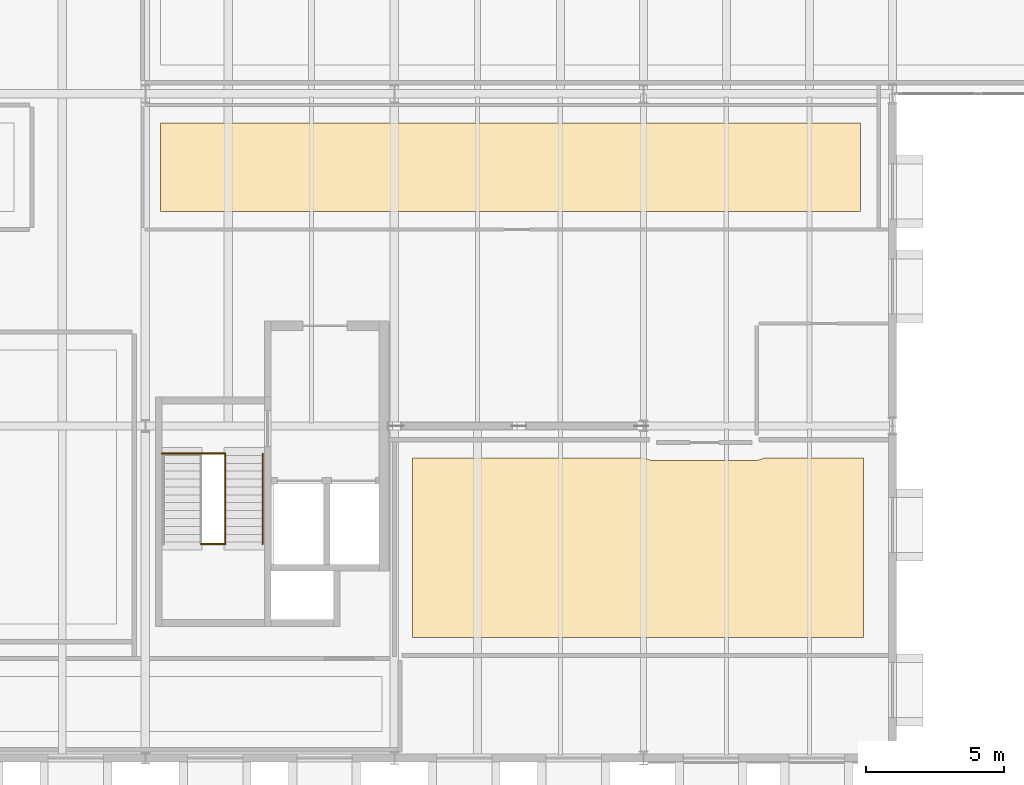
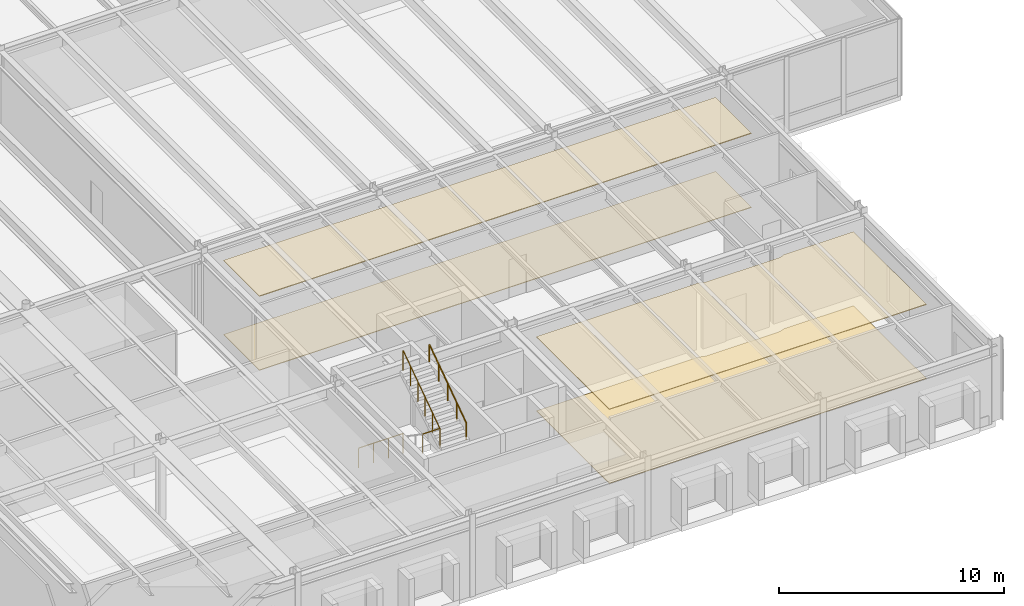
# One storey, part 122 of 127: 4 coverings, 4 railings.
"""IFC4 building model written with IfcOpenShell, lengths in metres."""

from ifc_helpers import new_model, si_unit, direction, frame, origin, origin_2d, place, context, subcontext, project, spatial, polyline, circle, outline, extrude, material, layer, layer_set, type_object, element, save


model = new_model("IFC4")

# Units and contexts
model_context = context("Model", 3, precision=1e-05, world=origin(), true_north=direction((0.0, 1.0)))
body_context = subcontext(model_context, "Body", "Model", "MODEL_VIEW")
ifc_project = project(units=[si_unit("LENGTHUNIT", "METRE"), si_unit("AREAUNIT", "SQUARE_METRE"), si_unit("VOLUMEUNIT", "CUBIC_METRE"), si_unit("PLANEANGLEUNIT", "RADIAN"), si_unit("MASSUNIT", "GRAM", prefix="KILO")], contexts=[model_context])

# Site, building, storey
site_placement = place(None, origin())
site = spatial("IfcSite", under=ifc_project, at=site_placement, CompositionType="ELEMENT")
building_placement = place(site_placement, origin())
building = spatial("IfcBuilding", under=site, at=building_placement, Name="Montelvaro Courts of Justice", CompositionType="ELEMENT")
storey_placement = place(building_placement, frame((0.0, 0.0, 5.39990234375)))
storey = spatial("IfcBuildingStorey", under=building, at=storey_placement, Name="L01", CompositionType="ELEMENT", Elevation=5.39990234375)

# Coverings
ifc_material_1 = material(Name="Perforated acoustic gypsum ceiling")
ifc_layer_1 = layer(ifc_material_1, 0.0400390625)
ifc_layer_set_1 = layer_set([ifc_layer_1], Name="Perforated acoustic gypsum ceiling")
covering_type_1 = type_object("IfcCoveringType", Name="AcousticCeiling_Court", PredefinedType="CEILING", material=ifc_layer_set_1)
covering_1_placement = place(storey_placement, frame((0.0, 0.0, 4.02001953125)))
element("IfcCovering", 1, at=covering_1_placement, inside=storey, type_object=covering_type_1, Name="Acoustic Ceiling Panel AC-01 (L01-33)", PredefinedType="CEILING", context=body_context, shape_type="SweptSolid", body=[
    extrude(outline(polyline([(133.85009765625, 19.75), (108.550048828125, 19.75), (108.550048828125, 22.949951171875), (133.85009765625, 22.949951171875), (133.85009765625, 19.75)])), origin(), (0.0, 0.0, 1.0), 0.0400390625),
])
covering_2_placement = place(storey_placement, frame((0.0, 0.0, 4.02001953125)))
element("IfcCovering", 2, at=covering_2_placement, inside=storey, type_object=covering_type_1, Name="Acoustic Ceiling Panel AC-01 (L01-34)", PredefinedType="CEILING", context=body_context, shape_type="SweptSolid", body=[
    extrude(outline(polyline([(117.64990234375, 10.85009765625), (126.02587890625, 10.85009765625), (126.028076171875, 10.84912109375), (126.037109375, 10.843994140625), (126.089111328125, 10.818115234375), (126.097900390625, 10.81396484375), (126.10693359375, 10.81005859375), (126.1669921875, 10.787109375), (126.22998046875, 10.76904296875), (126.239013671875, 10.76708984375), (126.2529296875, 10.764892578125), (126.262939453125, 10.762939453125), (126.325927734375, 10.7529296875), (126.389892578125, 10.75), (130.010009765625, 10.75), (130.073974609375, 10.7529296875), (130.136962890625, 10.762939453125), (130.14697265625, 10.764892578125), (130.160888671875, 10.76708984375), (130.169921875, 10.76904296875), (130.23291015625, 10.787109375), (130.29296875, 10.81005859375), (130.302001953125, 10.81396484375), (130.31103515625, 10.818115234375), (130.363037109375, 10.843994140625), (130.3720703125, 10.84912109375), (130.3740234375, 10.85009765625), (133.949951171875, 10.85009765625), (133.949951171875, 4.35009765625), (117.64990234375, 4.35009765625), (117.64990234375, 10.85009765625)])), origin(), (0.0, 0.0, 1.0), 0.0400390625),
])

# Railings
ifc_material_2 = material(Name="Steel S355", Category="steel")
railing_type_1 = type_object("IfcRailingType", Name="InteriorGuard_1100", PredefinedType="BALUSTRADE", material=ifc_material_2)
railing_1_placement = place(storey_placement, frame((108.60009765625, 11.0, 0.0)))
element("IfcRailing", 3, at=railing_1_placement, inside=storey, type_object=railing_type_1, Name="Stair Well Guard GR-02 ST-K2-L00-TLG", PredefinedType="BALUSTRADE", context=body_context, shape_type="SweptSolid", body=[
    extrude(circle(Radius=0.02392578125, at=origin_2d()), frame((0.0, 0.0, 1.076171875), z_axis=(1.0, 0.0, 0.0), x_axis=(0.0, 1.0, 0.0)), (0.0, 0.0, 1.0), 2.289794921875),
    extrude(circle(Radius=0.02099609375, at=origin_2d()), origin(), (0.0, 0.0, 1.0), 1.052001953125),
    extrude(circle(Radius=0.02099609375, at=origin_2d()), frame((0.76318359375, 0.0, 0.0)), (0.0, 0.0, 1.0), 1.052001953125),
    extrude(circle(Radius=0.02099609375, at=origin_2d()), frame((1.526611328125, 0.0, 0.0)), (0.0, 0.0, 1.0), 1.052001953125),
    extrude(circle(Radius=0.02099609375, at=origin_2d()), frame((2.289794921875, 0.0, 0.0)), (0.0, 0.0, 1.0), 1.052001953125),
])
railing_2_placement = place(storey_placement, frame((110.889892578125, 7.735107421875, 2.25)))
element("IfcRailing", 4, at=railing_2_placement, inside=storey, type_object=railing_type_1, Name="Stair Well Guard GR-02 ST-K2-L01-F2G", PredefinedType="BALUSTRADE", context=body_context, shape_type="SweptSolid", body=[
    extrude(circle(Radius=0.02392578125, at=origin_2d()), frame((0.0, 0.0, 1.076171875), z_axis=(0.0, 0.823407228882, 0.567450910146), x_axis=(-1.0, 0.0, 0.0)), (0.0, 0.0, 1.0), 3.965087890625),
    extrude(circle(Radius=0.02099609375, at=origin_2d()), origin(), (0.0, 0.0, 1.0), 1.052001953125),
    extrude(circle(Radius=0.02099609375, at=origin_2d()), frame((0.0, 0.653076171875, 0.449951171875)), (0.0, 0.0, 1.0), 1.052001953125),
    extrude(circle(Radius=0.02099609375, at=origin_2d()), frame((0.0, 1.305908203125, 0.89990234375)), (0.0, 0.0, 1.0), 1.052001953125),
    extrude(circle(Radius=0.02099609375, at=origin_2d()), frame((0.0, 1.958984375, 1.35009765625)), (0.0, 0.0, 1.0), 1.052001953125),
    extrude(circle(Radius=0.02099609375, at=origin_2d()), frame((0.0, 2.61181640625, 1.800048828125)), (0.0, 0.0, 1.0), 1.052001953125),
    extrude(circle(Radius=0.02099609375, at=origin_2d()), frame((0.0, 3.264892578125, 2.25)), (0.0, 0.0, 1.0), 1.052001953125),
])
railing_3_placement = place(storey_placement, frame((110.010009765625, 7.735107421875, 2.25)))
element("IfcRailing", 5, at=railing_3_placement, inside=storey, type_object=railing_type_1, Name="Stair Well Guard GR-02 ST-K2-L01-MLG", PredefinedType="BALUSTRADE", context=body_context, shape_type="SweptSolid", body=[
    extrude(circle(Radius=0.02392578125, at=origin_2d()), frame((0.0, 0.0, 1.076171875), z_axis=(1.0, 0.0, 0.0), x_axis=(0.0, 1.0, 0.0)), (0.0, 0.0, 1.0), 0.8798828125),
    extrude(circle(Radius=0.02099609375, at=origin_2d()), origin(), (0.0, 0.0, 1.0), 1.052001953125),
    extrude(circle(Radius=0.02099609375, at=origin_2d()), frame((0.8798828125, 0.0, 0.0)), (0.0, 0.0, 1.0), 1.052001953125),
])

# Coverings
ifc_material_3 = material(Name="Alicante limestone judicial flooring", Category="masonry")
ifc_layer_2 = layer(ifc_material_3, 0.030029296875)
ifc_layer_set_2 = layer_set([ifc_layer_2], Name="Alicante limestone judicial flooring")
covering_type_2 = type_object("IfcCoveringType", Name="JudicialStoneFlooring", PredefinedType="FLOORING", material=ifc_layer_set_2)
covering_3_placement = place(storey_placement, origin())
element("IfcCovering", 6, at=covering_3_placement, inside=storey, type_object=covering_type_2, Name="Judicial Stone Flooring FLR-01 (L01-33)", PredefinedType="FLOORING", context=body_context, shape_type="SweptSolid", body=[
    extrude(outline(polyline([(133.85009765625, 19.75), (108.550048828125, 19.75), (108.550048828125, 22.949951171875), (133.85009765625, 22.949951171875), (133.85009765625, 19.75)])), origin(), (0.0, 0.0, 1.0), 0.030029296875),
])
covering_4_placement = place(storey_placement, origin())
element("IfcCovering", 7, at=covering_4_placement, inside=storey, type_object=covering_type_2, Name="Judicial Stone Flooring FLR-01 (L01-34)", PredefinedType="FLOORING", context=body_context, shape_type="SweptSolid", body=[
    extrude(outline(polyline([(117.64990234375, 10.85009765625), (126.02587890625, 10.85009765625), (126.028076171875, 10.84912109375), (126.037109375, 10.843994140625), (126.089111328125, 10.818115234375), (126.097900390625, 10.81396484375), (126.10693359375, 10.81005859375), (126.1669921875, 10.787109375), (126.22998046875, 10.76904296875), (126.239013671875, 10.76708984375), (126.2529296875, 10.764892578125), (126.262939453125, 10.762939453125), (126.325927734375, 10.7529296875), (126.389892578125, 10.75), (130.010009765625, 10.75), (130.073974609375, 10.7529296875), (130.136962890625, 10.762939453125), (130.14697265625, 10.764892578125), (130.160888671875, 10.76708984375), (130.169921875, 10.76904296875), (130.23291015625, 10.787109375), (130.29296875, 10.81005859375), (130.302001953125, 10.81396484375), (130.31103515625, 10.818115234375), (130.363037109375, 10.843994140625), (130.3720703125, 10.84912109375), (130.3740234375, 10.85009765625), (133.949951171875, 10.85009765625), (133.949951171875, 4.35009765625), (117.64990234375, 4.35009765625), (117.64990234375, 10.85009765625)])), origin(), (0.0, 0.0, 1.0), 0.030029296875),
])

# Railing
ifc_material_4 = material(Name="Austenitic stainless steel EN 1.4401", Category="steel")
railing_type_2 = type_object("IfcRailingType", Name="StairHandrail_950", PredefinedType="HANDRAIL", material=ifc_material_4)
railing_4_placement = place(storey_placement, frame((112.239990234375, 7.735107421875, 2.25)))
element("IfcRailing", 8, at=railing_4_placement, inside=storey, type_object=railing_type_2, Name="Stair Pitch Handrail HR-01 ST-K2-L01-F2H", PredefinedType="HANDRAIL", context=body_context, shape_type="SweptSolid", body=[
    extrude(circle(Radius=0.02392578125, at=origin_2d()), frame((0.0, 0.0, 0.92578125), z_axis=(0.0, 0.823407228882, 0.567450910146), x_axis=(-1.0, 0.0, 0.0)), (0.0, 0.0, 1.0), 3.965087890625),
    extrude(circle(Radius=0.02099609375, at=origin_2d()), origin(), (0.0, 0.0, 1.0), 0.90185546875),
    extrude(circle(Radius=0.02099609375, at=origin_2d()), frame((0.0, 0.816162109375, 0.5625)), (0.0, 0.0, 1.0), 0.90185546875),
    extrude(circle(Radius=0.02099609375, at=origin_2d()), frame((0.0, 1.63232421875, 1.125)), (0.0, 0.0, 1.0), 0.90185546875),
    extrude(circle(Radius=0.02099609375, at=origin_2d()), frame((0.0, 2.44873046875, 1.6875)), (0.0, 0.0, 1.0), 0.90185546875),
    extrude(circle(Radius=0.02099609375, at=origin_2d()), frame((0.0, 3.264892578125, 2.25)), (0.0, 0.0, 1.0), 0.90185546875),
])

save(model, "model.ifc")
